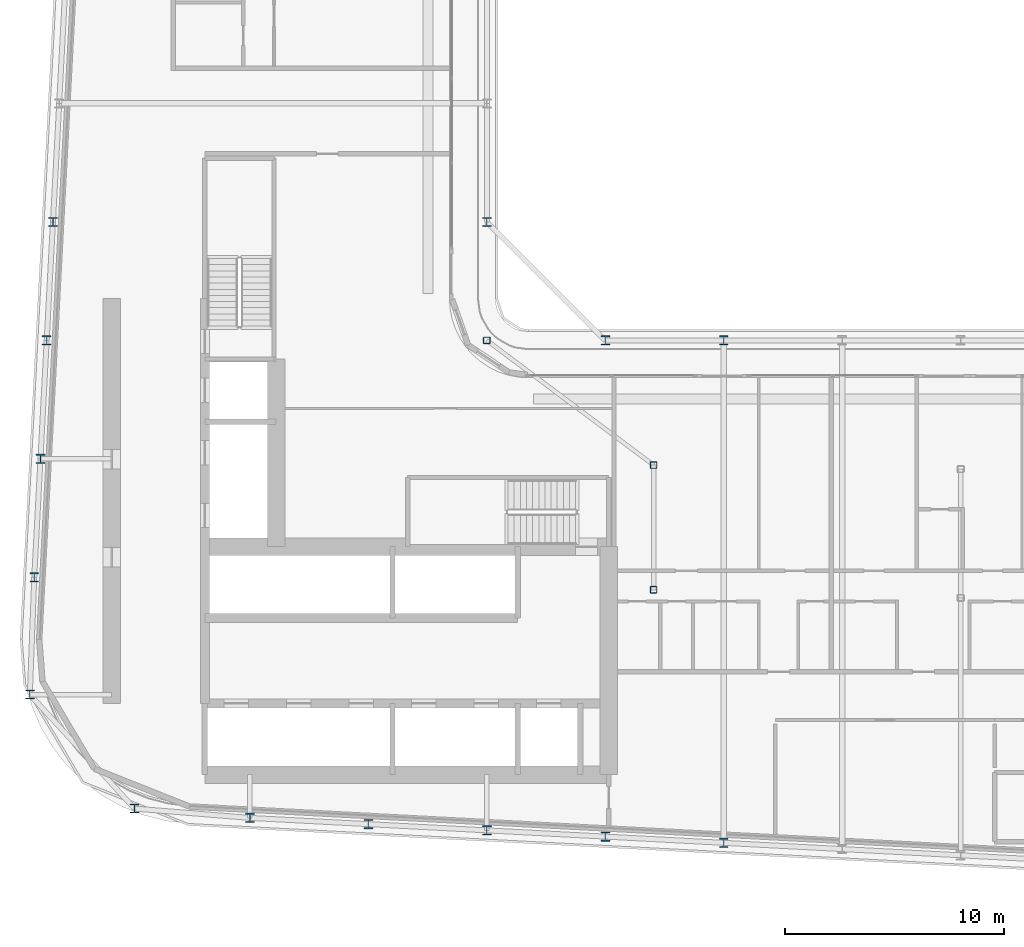
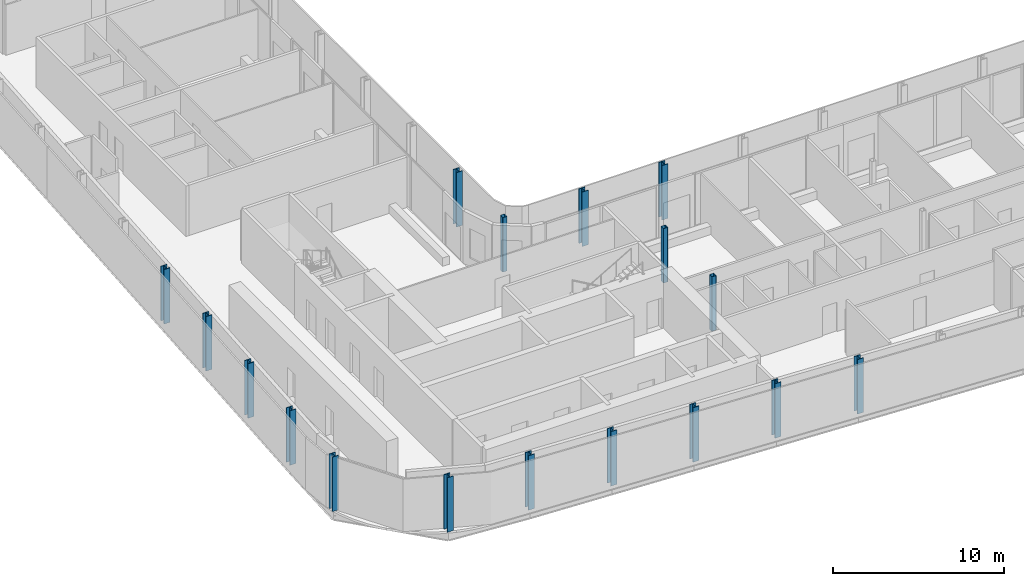
# One storey, part 1 of 29: 17 columns.
"""IFC4 building model written with IfcOpenShell, lengths in metres."""

from ifc_helpers import new_model, si_unit, direction, frame, origin, origin_2d, place, context, subcontext, project, spatial, hollow_rectangle, i_section, extrude, material, material_profile, profile_set, type_object, element, save


model = new_model("IFC4")

# Units and contexts
model_context = context("Model", 3, precision=1e-05, world=origin(), true_north=direction((0.0, 1.0)))
body_context = subcontext(model_context, "Body", "Model", "MODEL_VIEW")
ifc_project = project(units=[si_unit("LENGTHUNIT", "METRE"), si_unit("AREAUNIT", "SQUARE_METRE"), si_unit("VOLUMEUNIT", "CUBIC_METRE"), si_unit("PLANEANGLEUNIT", "RADIAN"), si_unit("MASSUNIT", "GRAM", prefix="KILO")], contexts=[model_context])

# Site, building, storey
site_placement = place(None, origin())
site = spatial("IfcSite", under=ifc_project, at=site_placement, CompositionType="ELEMENT")
building_placement = place(site_placement, origin())
building = spatial("IfcBuilding", under=site, at=building_placement, Name="Kheshtan School and Residences Tower", CompositionType="ELEMENT")
storey_placement = place(building_placement, frame((0.0, 0.0, 176.0)))
storey = spatial("IfcBuildingStorey", under=building, at=storey_placement, Name="L41", CompositionType="ELEMENT", Elevation=176.0)

# Columns
ifc_material_1 = material(Name="Steel ASTM A992 Grade 50", Category="steel")
ifc_material_profile_1 = material_profile(ifc_material_1, i_section(OverallWidth=0.408935546875, OverallDepth=0.425048828125, WebThickness=0.03271484375, FlangeThickness=0.052490234375, FilletRadius=0.0126953125, at=origin_2d()), Name="W360x421")
ifc_profile_set_1 = profile_set([ifc_material_profile_1], Name="Steel ASTM A992 Grade 50")
column_type_1 = type_object("IfcColumnType", Name="Column C3 W360x421 ASTM A992 Grade 50", PredefinedType="COLUMN", material=ifc_profile_set_1)
for number, where, z_axis, x_axis, name in (
    (1, (58.39990234375, 22.695068359375, 0.0), (0.0, 0.0, 1.0), (1.0, 0.0, 0.0), "Column C018"),
    (2, (53.0, 22.97998046875, 0.0), (0.0, 0.0, 1.0), (1.0, 0.0, 0.0), "Column C019"),
    (3, (47.60009765625, 23.263916015625, 0.0), (0.0, 0.0, 1.0), (1.0, 0.0, 0.0), "Column C020"),
    (4, (42.199951171875, 23.548095703125, 0.0), (0.0, 0.0, 1.0), (1.0, 0.0, 0.0), "Column C021"),
    (5, (36.800048828125, 23.83203125, 0.0), (0.0, 0.0, 1.0), (1.0, 0.0, 0.0), "Column C022"),
    (6, (31.5419921875, 24.257080078125, 0.0), (0.0, 0.0, 1.0), (1.0, 0.0, 0.0), "Column C025"),
    (7, (26.76904296875, 29.4541015625, 0.0), (0.0, 0.0, 1.0), (1.0, 0.0, 0.0), "Column C038"),
    (8, (26.968994140625, 34.800048828125, 0.0), (0.0, 0.0, 1.0), (1.0, 0.0, 0.0), "Column C052"),
    (9, (27.2529296875, 40.199951171875, 0.0), (0.0, 0.0, 1.0), (1.0, 0.0, 0.0), "Column C056"),
    (10, (27.537109375, 45.60009765625, 0.0), (0.0, 0.0, 1.0), (1.0, 0.0, 0.0), "Column C059"),
    (11, (53.0, 45.60009765625, 0.0), (0.0, 0.0, 1.0), (1.0, 0.0, 0.0), "Column C061"),
    (12, (58.39990234375, 45.60009765625, 0.0), (0.0, 0.0, 1.0), (1.0, 0.0, 0.0), "Column C062"),
    (13, (27.822021484375, 51.0, 0.0), (0.0, 0.0, 1.0), (1.0, 0.0, 0.0), "Column C078"),
    (14, (47.60009765625, 51.0, 0.0), (0.0, 0.0, 1.0), (1.0, 0.0, 0.0), "Column C079"),
):
    element("IfcColumn", number, at=place(storey_placement, frame(where, z_axis=z_axis, x_axis=x_axis)), inside=storey, type_object=column_type_1, Name=name, PredefinedType="COLUMN", context=body_context, shape_type="SweptSolid", body=[
        extrude(i_section(OverallWidth=0.408935546875, OverallDepth=0.425048828125, WebThickness=0.03271484375, FlangeThickness=0.052490234375, FilletRadius=0.0126953125, at=origin_2d()), origin(), (0.0, 0.0, 1.0), 3.89990234375),
    ])
ifc_material_2 = material(Name="Steel ASTM A500 Grade C", Category="steel")
ifc_material_profile_2 = material_profile(ifc_material_2, hollow_rectangle(XDim=0.304931640625, YDim=0.304931640625, WallThickness=0.015869140625, InnerFilletRadius=0.015869140625, OuterFilletRadius=0.03173828125, at=origin_2d()), Name="HSS 305x305x15.9")
ifc_profile_set_2 = profile_set([ifc_material_profile_2], Name="Steel ASTM A500 Grade C")
column_type_2 = type_object("IfcColumnType", Name="Column IC2 HSS 305x305x15.9 ASTM A500 Grade C", PredefinedType="COLUMN", material=ifc_profile_set_2)
for number, where, z_axis, x_axis, name in (
    (15, (55.199951171875, 34.23193359375, 0.0), (0.0, 0.0, 1.0), (1.0, 0.0, 0.0), "Column C051"),
    (16, (55.199951171875, 39.916015625, 0.0), (0.0, 0.0, 1.0), (1.0, 0.0, 0.0), "Column C055"),
    (17, (47.60009765625, 45.60009765625, 0.0), (0.0, 0.0, 1.0), (1.0, 0.0, 0.0), "Column C060"),
):
    element("IfcColumn", number, at=place(storey_placement, frame(where, z_axis=z_axis, x_axis=x_axis)), inside=storey, type_object=column_type_2, Name=name, PredefinedType="COLUMN", context=body_context, shape_type="SweptSolid", body=[
        extrude(hollow_rectangle(XDim=0.304931640625, YDim=0.304931640625, WallThickness=0.015869140625, InnerFilletRadius=0.015869140625, OuterFilletRadius=0.03173828125, at=origin_2d()), origin(), (0.0, 0.0, 1.0), 3.89990234375),
    ])

save(model, "model.ifc")
